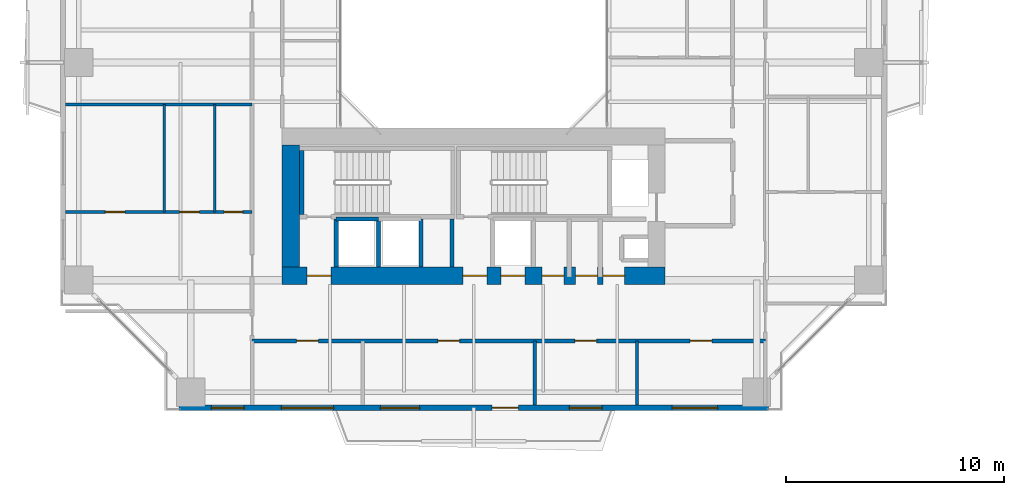
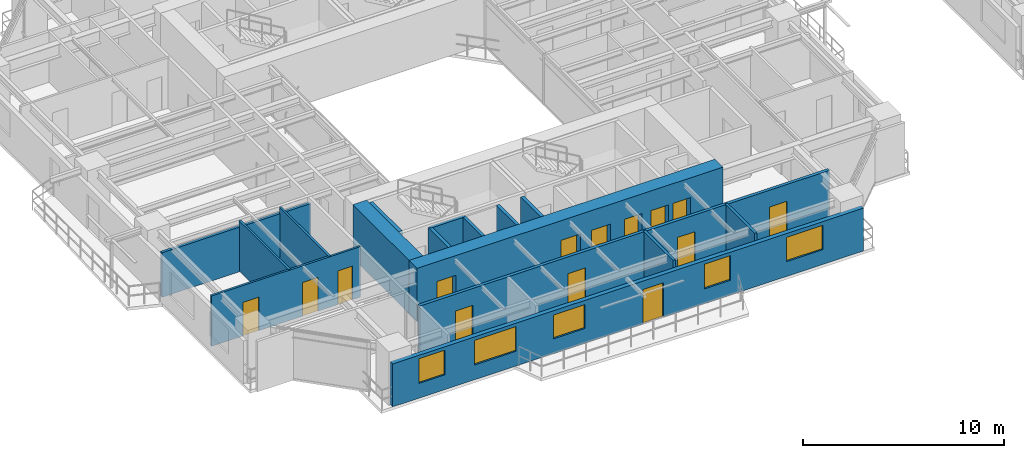
# One storey, part 12 of 24: 16 walls, 14 doors, 5 windows, 19 openings.
"""IFC4 building model written with IfcOpenShell, lengths in metres."""

from ifc_helpers import new_model, si_unit, direction, frame, frame_2d, origin, place, context, subcontext, project, spatial, rectangle, extrude, source, transform, mapped, material, layer, layer_set, type_object, element, fill, save


model = new_model("IFC4")

# Units and contexts
model_context = context("Model", 3, precision=1e-05, world=origin(), true_north=direction((0.0, 1.0)))
body_context = subcontext(model_context, "Body", "Model", "MODEL_VIEW")
ifc_project = project(units=[si_unit("LENGTHUNIT", "METRE"), si_unit("AREAUNIT", "SQUARE_METRE"), si_unit("VOLUMEUNIT", "CUBIC_METRE"), si_unit("PLANEANGLEUNIT", "RADIAN"), si_unit("MASSUNIT", "GRAM", prefix="KILO"), si_unit("THERMODYNAMICTEMPERATUREUNIT", "KELVIN"), si_unit("POWERUNIT", "WATT")], contexts=[model_context])

# Site, building, storey
site_placement = place(None, origin())
site = spatial("IfcSite", under=ifc_project, at=site_placement, CompositionType="ELEMENT")
building_placement = place(site_placement, origin())
building = spatial("IfcBuilding", under=site, at=building_placement, Name="Qiaomeng Ring Towers", CompositionType="ELEMENT")
storey_placement = place(building_placement, frame((0.0, 0.0, 56.75)))
storey = spatial("IfcBuildingStorey", under=building, at=storey_placement, Name="L15", CompositionType="ELEMENT", Elevation=56.75)

# Wall, openings, windows, door
ifc_material_1 = material(Name="Precast concrete C40", Category="concrete")
ifc_layer_1 = layer(ifc_material_1, 0.25, Name="Precast concrete C40")
ifc_layer_set_1 = layer_set([ifc_layer_1], Name="Precast concrete C40")
wall_type_1 = type_object("IfcWallType", Name="ARC-WL-EW1", PredefinedType="STANDARD", material=ifc_layer_set_1)
wall_1_placement = place(storey_placement, frame((5.449951171875, 4.125, 0.0), z_axis=(0.0, 0.0, 1.0), x_axis=(1.0, 0.0, 0.0)))
wall_1 = element("IfcWall", 1, at=wall_1_placement, inside=storey, type_object=wall_type_1, Name="L15 Tower 1 S Exterior Wall", PredefinedType="STANDARD", context=body_context, shape_type="SweptSolid", body=[
    extrude(rectangle(XDim=27.10009765625, YDim=0.25, at=frame_2d((13.550048828125, 0.0))), origin(), (0.0, 0.0, 1.0), 2.610107421875),
])
opening_1_placement = place(wall_1_placement, frame((14.39990234375, 0.0, 0.0)))
opening_1 = element("IfcOpeningElement", 2, at=opening_1_placement, cuts=wall_1, Name="Opening BD1", PredefinedType="OPENING", context=body_context, shape_type="SweptSolid", body=[
    extrude(rectangle(XDim=1.199951171875, YDim=2.10009765625, at=frame_2d((0.60009765625, 1.050048828125))), frame((0.0, 0.135009765625, 0.0), z_axis=(0.0, -1.0, 0.0), x_axis=(1.0, 0.0, 0.0)), (0.0, 0.0, 1.0), 0.27001953125),
])
opening_2_placement = place(wall_1_placement, frame((1.5, 0.0, 0.89990234375)))
opening_2 = element("IfcOpeningElement", 3, at=opening_2_placement, cuts=wall_1, Name="Opening WN2", PredefinedType="OPENING", context=body_context, shape_type="SweptSolid", body=[
    extrude(rectangle(XDim=1.5, YDim=1.5, at=frame_2d((0.75, 0.75))), frame((0.0, 0.135009765625, 0.0), z_axis=(0.0, -1.0, 0.0), x_axis=(1.0, 0.0, 0.0)), (0.0, 0.0, 1.0), 0.27001953125),
])
opening_3_placement = place(wall_1_placement, frame((9.262939453125, 0.0, 0.89990234375)))
opening_3 = element("IfcOpeningElement", 4, at=opening_3_placement, cuts=wall_1, Name="Opening WN1", PredefinedType="OPENING", context=body_context, shape_type="SweptSolid", body=[
    extrude(rectangle(XDim=1.800048828125, YDim=1.449951171875, at=frame_2d((0.89990234375, 0.72509765625))), frame((0.0, 0.135009765625, 0.0), z_axis=(0.0, -1.0, 0.0), x_axis=(1.0, 0.0, 0.0)), (0.0, 0.0, 1.0), 0.27001953125),
])
opening_4_placement = place(wall_1_placement, frame((17.949951171875, 0.0, 0.89990234375)))
opening_4 = element("IfcOpeningElement", 5, at=opening_4_placement, cuts=wall_1, Name="Opening WN2", PredefinedType="OPENING", context=body_context, shape_type="SweptSolid", body=[
    extrude(rectangle(XDim=1.5, YDim=1.5, at=frame_2d((0.75, 0.75))), frame((0.0, 0.135009765625, 0.0), z_axis=(0.0, -1.0, 0.0), x_axis=(1.0, 0.0, 0.0)), (0.0, 0.0, 1.0), 0.27001953125),
])
opening_5_placement = place(wall_1_placement, frame((22.6630859375, 0.0, 0.89990234375)))
opening_5 = element("IfcOpeningElement", 6, at=opening_5_placement, cuts=wall_1, Name="Opening WN4", PredefinedType="OPENING", context=body_context, shape_type="SweptSolid", body=[
    extrude(rectangle(XDim=2.10009765625, YDim=1.47998046875, at=frame_2d((1.050048828125, 0.739990234375))), frame((0.0, 0.135009765625, 0.0), z_axis=(0.0, -1.0, 0.0), x_axis=(1.0, 0.0, 0.0)), (0.0, 0.0, 1.0), 0.27001953125),
])
opening_6_placement = place(wall_1_placement, frame((4.7099609375, 0.0, 0.89990234375)))
opening_6 = element("IfcOpeningElement", 7, at=opening_6_placement, cuts=wall_1, Name="Opening WN6", PredefinedType="OPENING", context=body_context, shape_type="SweptSolid", body=[
    extrude(rectangle(XDim=2.39990234375, YDim=1.5, at=frame_2d((1.199951171875, 0.75))), frame((0.0, 0.135009765625, 0.0), z_axis=(0.0, -1.0, 0.0), x_axis=(1.0, 0.0, 0.0)), (0.0, 0.0, 1.0), 0.27001953125),
])
ifc_material_2 = material(Name="Low-E dark-grey laminated double glazing", Category="glass")
window_type_1 = type_object("IfcWindowType", Name="ARC-WN-4", PartitioningType="TRIPLE_PANEL_VERTICAL", PredefinedType="WINDOW", material=ifc_material_2)
shared_shape_1 = source(origin(), body_context, "Body", "SweptSolid", [
    extrude(rectangle(XDim=2.10009765625, YDim=1.47998046875, at=frame_2d((1.050048828125, 0.739990234375))), frame((0.0, 0.030029296875, 0.0), z_axis=(0.0, -1.0, 0.0), x_axis=(1.0, 0.0, 0.0)), (0.0, 0.0, 1.0), 0.06005859375),
])
window_1_placement = place(opening_5_placement, origin())
window_1 = element("IfcWindow", 8, at=window_1_placement, inside=storey, type_object=window_type_1, Name="L15 Exterior Window WN4", OverallHeight=1.47998046875, OverallWidth=2.10009765625, PartitioningType="TRIPLE_PANEL_VERTICAL", PredefinedType="WINDOW", context=body_context, shape_type="MappedRepresentation", body=[
    mapped(shared_shape_1, transform((0.0, 0.0, 0.0), x_axis=(1.0, 0.0, 0.0), y_axis=(0.0, 1.0, 0.0), z_axis=(0.0, 0.0, 1.0), scale=1.0)),
])
fill(opening_5, window_1)
window_type_2 = type_object("IfcWindowType", Name="ARC-WN-1", PartitioningType="DOUBLE_PANEL_VERTICAL", PredefinedType="WINDOW", material=ifc_material_2)
shared_shape_2 = source(origin(), body_context, "Body", "SweptSolid", [
    extrude(rectangle(XDim=1.800048828125, YDim=1.449951171875, at=frame_2d((0.89990234375, 0.72509765625))), frame((0.0, 0.030029296875, 0.0), z_axis=(0.0, -1.0, 0.0), x_axis=(1.0, 0.0, 0.0)), (0.0, 0.0, 1.0), 0.06005859375),
])
window_2_placement = place(opening_3_placement, origin())
window_2 = element("IfcWindow", 9, at=window_2_placement, inside=storey, type_object=window_type_2, Name="L15 Exterior Window WN1", OverallHeight=1.449951171875, OverallWidth=1.800048828125, PartitioningType="DOUBLE_PANEL_VERTICAL", PredefinedType="WINDOW", context=body_context, shape_type="MappedRepresentation", body=[
    mapped(shared_shape_2, transform((0.0, 0.0, 0.0), x_axis=(1.0, 0.0, 0.0), y_axis=(0.0, 1.0, 0.0), z_axis=(0.0, 0.0, 1.0), scale=1.0)),
])
fill(opening_3, window_2)
door_type_1 = type_object("IfcDoorType", Name="ARC-DR-BD1", OperationType="NOTDEFINED", PredefinedType="DOOR", material=ifc_material_2)
shared_shape_3 = source(origin(), body_context, "Body", "SweptSolid", [
    extrude(rectangle(XDim=1.199951171875, YDim=2.10009765625, at=frame_2d((0.60009765625, 1.050048828125))), frame((0.0, 0.02490234375, 0.0), z_axis=(0.0, -1.0, 0.0), x_axis=(1.0, 0.0, 0.0)), (0.0, 0.0, 1.0), 0.050048828125),
])
door_1_placement = place(opening_1_placement, frame((1.199951171875, 0.0, 0.0), z_axis=(0.0, 0.0, 1.0), x_axis=(-1.0, 0.0, 0.0)))
door_1 = element("IfcDoor", 10, at=door_1_placement, inside=storey, type_object=door_type_1, Name="L15 S Balcony Glazed Door", OperationType="SINGLE_SWING_LEFT", OverallHeight=2.10009765625, OverallWidth=1.199951171875, PredefinedType="DOOR", context=body_context, shape_type="MappedRepresentation", body=[
    mapped(shared_shape_3, transform((0.0, 0.0, 0.0), x_axis=(1.0, 0.0, 0.0), y_axis=(0.0, 1.0, 0.0), z_axis=(0.0, 0.0, 1.0), scale=1.0)),
])
fill(opening_1, door_1)
window_type_3 = type_object("IfcWindowType", Name="ARC-WN-2", PartitioningType="DOUBLE_PANEL_VERTICAL", PredefinedType="WINDOW", material=ifc_material_2)
shared_shape_4 = source(origin(), body_context, "Body", "SweptSolid", [
    extrude(rectangle(XDim=1.5, YDim=1.5, at=frame_2d((0.75, 0.75))), frame((0.0, 0.030029296875, 0.0), z_axis=(0.0, -1.0, 0.0), x_axis=(1.0, 0.0, 0.0)), (0.0, 0.0, 1.0), 0.06005859375),
])
window_3_placement = place(opening_2_placement, origin())
window_3 = element("IfcWindow", 11, at=window_3_placement, inside=storey, type_object=window_type_3, Name="L15 Exterior Window WN6", OverallHeight=1.5, OverallWidth=1.5, PartitioningType="TRIPLE_PANEL_VERTICAL", PredefinedType="WINDOW", context=body_context, shape_type="MappedRepresentation", body=[
    mapped(shared_shape_4, transform((0.0, 0.0, 0.0), x_axis=(1.0, 0.0, 0.0), y_axis=(0.0, 1.0, 0.0), z_axis=(0.0, 0.0, 1.0), scale=1.0)),
])
fill(opening_2, window_3)
window_4_placement = place(opening_4_placement, origin())
window_4 = element("IfcWindow", 12, at=window_4_placement, inside=storey, type_object=window_type_3, Name="L15 Exterior Window WN2", OverallHeight=1.5, OverallWidth=1.5, PartitioningType="DOUBLE_PANEL_VERTICAL", PredefinedType="WINDOW", context=body_context, shape_type="MappedRepresentation", body=[
    mapped(shared_shape_4, transform((0.0, 0.0, 0.0), x_axis=(1.0, 0.0, 0.0), y_axis=(0.0, 1.0, 0.0), z_axis=(0.0, 0.0, 1.0), scale=1.0)),
])
fill(opening_4, window_4)
window_type_4 = type_object("IfcWindowType", Name="ARC-WN-6", PartitioningType="TRIPLE_PANEL_VERTICAL", PredefinedType="WINDOW", material=ifc_material_2)
shared_shape_5 = source(origin(), body_context, "Body", "SweptSolid", [
    extrude(rectangle(XDim=2.39990234375, YDim=1.5, at=frame_2d((1.199951171875, 0.75))), frame((0.0, 0.030029296875, 0.0), z_axis=(0.0, -1.0, 0.0), x_axis=(1.0, 0.0, 0.0)), (0.0, 0.0, 1.0), 0.06005859375),
])
window_5_placement = place(opening_6_placement, origin())
window_5 = element("IfcWindow", 13, at=window_5_placement, inside=storey, type_object=window_type_4, Name="L15 Exterior Window WN6", OverallHeight=1.5, OverallWidth=2.39990234375, PartitioningType="TRIPLE_PANEL_VERTICAL", PredefinedType="WINDOW", context=body_context, shape_type="MappedRepresentation", body=[
    mapped(shared_shape_5, transform((0.0, 0.0, 0.0), x_axis=(1.0, 0.0, 0.0), y_axis=(0.0, 1.0, 0.0), z_axis=(0.0, 0.0, 1.0), scale=1.0)),
])
fill(opening_6, window_5)

# Walls
ifc_material_3 = material(Name="Autoclaved aerated concrete block", Category="concrete")
ifc_layer_2 = layer(ifc_material_3, 0.199951171875, Name="Autoclaved aerated concrete block")
ifc_layer_set_2 = layer_set([ifc_layer_2], Name="Autoclaved aerated concrete block")
wall_type_2 = type_object("IfcWallType", Name="ARC-WL-PW1", PredefinedType="PARTITIONING", material=ifc_layer_set_2)
for number, where, z_axis, x_axis, name in (
    (14, (12.679931640625, 10.60009765625, 0.0), (0.0, 0.0, 1.0), (0.0, 1.0, 0.0), "L15 Interior Wall PW1"),
    (15, (18.0, 10.60009765625, 0.0), (0.0, 0.0, 1.0), (0.0, 1.0, 0.0), "L15 Interior Wall PW1"),
):
    element("IfcWall", number, at=place(storey_placement, frame(where, z_axis=z_axis, x_axis=x_axis)), inside=storey, type_object=wall_type_2, Name=name, PredefinedType="PARTITIONING", context=body_context, shape_type="SweptSolid", body=[
        extrude(rectangle(XDim=2.2099609375, YDim=0.199951171875, at=frame_2d((1.10498046875, 0.0))), origin(), (0.0, 0.0, 1.0), 3.070068359375),
    ])

# Wall, openings, doors
ifc_layer_3 = layer(ifc_material_3, 0.179931640625, Name="Autoclaved aerated concrete block")
ifc_layer_set_3 = layer_set([ifc_layer_3], Name="Autoclaved aerated concrete block")
wall_type_3 = type_object("IfcWallType", Name="ARC-WL-PW2", PredefinedType="PARTITIONING", material=ifc_layer_set_3)
wall_2_placement = place(storey_placement, frame((8.820068359375, 7.2099609375, 0.0), z_axis=(0.0, 0.0, 1.0), x_axis=(1.0, 0.0, 0.0)))
wall_2 = element("IfcWall", 16, at=wall_2_placement, inside=storey, type_object=wall_type_3, Name="L15 Interior Wall PW2", PredefinedType="PARTITIONING", context=body_context, shape_type="SweptSolid", body=[
    extrude(rectangle(XDim=23.579833984375, YDim=0.179931640625, at=frame_2d((11.7900390625, 0.0))), origin(), (0.0, 0.0, 1.0), 3.070068359375),
])
opening_7_placement = place(wall_2_placement, frame((2.0400390625, 0.0, 0.0)))
opening_7 = element("IfcOpeningElement", 17, at=opening_7_placement, cuts=wall_2, Name="Opening FD4", PredefinedType="OPENING", context=body_context, shape_type="SweptSolid", body=[
    extrude(rectangle(XDim=1.0, YDim=2.050048828125, at=frame_2d((0.5, 1.02490234375))), frame((0.0, 0.099853515625, 0.0), z_axis=(0.0, -1.0, 0.0), x_axis=(1.0, 0.0, 0.0)), (0.0, 0.0, 1.0), 0.199951171875),
])
opening_8_placement = place(wall_2_placement, frame((8.530029296875, 0.0, 0.0)))
opening_8 = element("IfcOpeningElement", 18, at=opening_8_placement, cuts=wall_2, Name="Opening FD4", PredefinedType="OPENING", context=body_context, shape_type="SweptSolid", body=[
    extrude(rectangle(XDim=1.0, YDim=2.050048828125, at=frame_2d((0.5, 1.02490234375))), frame((0.0, 0.099853515625, 0.0), z_axis=(0.0, -1.0, 0.0), x_axis=(1.0, 0.0, 0.0)), (0.0, 0.0, 1.0), 0.199951171875),
])
opening_9_placement = place(wall_2_placement, frame((14.830078125, 0.0, 0.0)))
opening_9 = element("IfcOpeningElement", 19, at=opening_9_placement, cuts=wall_2, Name="Opening FD4", PredefinedType="OPENING", context=body_context, shape_type="SweptSolid", body=[
    extrude(rectangle(XDim=1.0, YDim=2.050048828125, at=frame_2d((0.5, 1.02490234375))), frame((0.0, 0.099853515625, 0.0), z_axis=(0.0, -1.0, 0.0), x_axis=(1.0, 0.0, 0.0)), (0.0, 0.0, 1.0), 0.199951171875),
])
opening_10_placement = place(wall_2_placement, frame((20.1298828125, 0.0, 0.0)))
opening_10 = element("IfcOpeningElement", 20, at=opening_10_placement, cuts=wall_2, Name="Opening FD4", PredefinedType="OPENING", context=body_context, shape_type="SweptSolid", body=[
    extrude(rectangle(XDim=1.0, YDim=2.050048828125, at=frame_2d((0.5, 1.02490234375))), frame((0.0, 0.099853515625, 0.0), z_axis=(0.0, -1.0, 0.0), x_axis=(1.0, 0.0, 0.0)), (0.0, 0.0, 1.0), 0.199951171875),
])
ifc_material_4 = material(Name="Engineered fire-rated oak timber", Category="wood")
door_type_2 = type_object("IfcDoorType", Name="ARC-DR-FD4", OperationType="NOTDEFINED", PredefinedType="DOOR", material=ifc_material_4)
shared_shape_6 = source(origin(), body_context, "Body", "SweptSolid", [
    extrude(rectangle(XDim=1.0, YDim=2.050048828125, at=frame_2d((0.5, 1.02490234375))), frame((0.0, 0.02490234375, 0.0), z_axis=(0.0, -1.0, 0.0), x_axis=(1.0, 0.0, 0.0)), (0.0, 0.0, 1.0), 0.050048828125),
])
door_2_placement = place(opening_7_placement, origin())
door_2 = element("IfcDoor", 21, at=door_2_placement, inside=storey, type_object=door_type_2, Name="L15 Door FD4", OperationType="SINGLE_SWING_RIGHT", OverallHeight=2.050048828125, OverallWidth=1.0, PredefinedType="DOOR", context=body_context, shape_type="MappedRepresentation", body=[
    mapped(shared_shape_6, transform((0.0, 0.0, 0.0), x_axis=(1.0, 0.0, 0.0), y_axis=(0.0, 1.0, 0.0), z_axis=(0.0, 0.0, 1.0), scale=1.0)),
])
fill(opening_7, door_2)
door_3_placement = place(opening_8_placement, origin())
door_3 = element("IfcDoor", 22, at=door_3_placement, inside=storey, type_object=door_type_2, Name="L15 Door FD4", OperationType="SINGLE_SWING_LEFT", OverallHeight=2.050048828125, OverallWidth=1.0, PredefinedType="DOOR", context=body_context, shape_type="MappedRepresentation", body=[
    mapped(shared_shape_6, transform((0.0, 0.0, 0.0), x_axis=(1.0, 0.0, 0.0), y_axis=(0.0, 1.0, 0.0), z_axis=(0.0, 0.0, 1.0), scale=1.0)),
])
fill(opening_8, door_3)
door_4_placement = place(opening_9_placement, origin())
door_4 = element("IfcDoor", 23, at=door_4_placement, inside=storey, type_object=door_type_2, Name="L15 Door FD4", OperationType="SINGLE_SWING_RIGHT", OverallHeight=2.050048828125, OverallWidth=1.0, PredefinedType="DOOR", context=body_context, shape_type="MappedRepresentation", body=[
    mapped(shared_shape_6, transform((0.0, 0.0, 0.0), x_axis=(1.0, 0.0, 0.0), y_axis=(0.0, 1.0, 0.0), z_axis=(0.0, 0.0, 1.0), scale=1.0)),
])
fill(opening_9, door_4)
door_5_placement = place(opening_10_placement, origin())
door_5 = element("IfcDoor", 24, at=door_5_placement, inside=storey, type_object=door_type_2, Name="L15 Door FD4", OperationType="SINGLE_SWING_LEFT", OverallHeight=2.050048828125, OverallWidth=1.0, PredefinedType="DOOR", context=body_context, shape_type="MappedRepresentation", body=[
    mapped(shared_shape_6, transform((0.0, 0.0, 0.0), x_axis=(1.0, 0.0, 0.0), y_axis=(0.0, 1.0, 0.0), z_axis=(0.0, 0.0, 1.0), scale=1.0)),
])
fill(opening_10, door_5)

# Walls
ifc_material_5 = material(Name="Gypsum fireboard steel-stud partition", Category="steel")
ifc_layer_4 = layer(ifc_material_5, 0.14990234375, Name="Gypsum fireboard steel-stud partition")
ifc_layer_set_4 = layer_set([ifc_layer_4], Name="Gypsum fireboard steel-stud partition")
wall_type_4 = type_object("IfcWallType", Name="ARC-WL-PW3", PredefinedType="PARTITIONING", material=ifc_layer_set_4)
for number, where, z_axis, x_axis, name in (
    (25, (21.800048828125, 4.25, 0.0), (0.0, 0.0, 1.0), (0.0, 1.0, 0.0), "L15 Interior Wall PW3"),
    (26, (26.5, 4.25, 0.0), (0.0, 0.0, 1.0), (0.0, 1.0, 0.0), "L15 Interior Wall PW3"),
):
    element("IfcWall", number, at=place(storey_placement, frame(where, z_axis=z_axis, x_axis=x_axis)), inside=storey, type_object=wall_type_4, Name=name, PredefinedType="PARTITIONING", context=body_context, shape_type="SweptSolid", body=[
        extrude(rectangle(XDim=2.9599609375, YDim=0.14990234375, at=frame_2d((1.47998046875, 0.0))), origin(), (0.0, 0.0, 1.0), 3.070068359375),
    ])
wall_3_placement = place(storey_placement, frame((0.25, 18.070068359375, 0.0), z_axis=(0.0, 0.0, 1.0), x_axis=(1.0, 0.0, 0.0)))
element("IfcWall", 27, at=wall_3_placement, inside=storey, type_object=wall_type_4, Name="L15 Interior Wall PW3", PredefinedType="PARTITIONING", context=body_context, shape_type="SweptSolid", body=[
    extrude(rectangle(XDim=8.570068359375, YDim=0.14990234375, at=frame_2d((4.28515625, 0.0))), origin(), (0.0, 0.0, 1.0), 2.715087890625),
])

# Wall, openings, doors
ifc_material_6 = material(Name="Moisture-resistant gypsum steel-stud partition", Category="steel")
ifc_layer_5 = layer(ifc_material_6, 0.1201171875, Name="Moisture-resistant gypsum steel-stud partition")
ifc_layer_set_5 = layer_set([ifc_layer_5], Name="Moisture-resistant gypsum steel-stud partition")
wall_type_5 = type_object("IfcWallType", Name="ARC-WL-PW4", PredefinedType="PLUMBINGWALL", material=ifc_layer_set_5)
wall_4_placement = place(storey_placement, frame((0.25, 13.1298828125, 0.0), z_axis=(0.0, 0.0, 1.0), x_axis=(1.0, 0.0, 0.0)))
wall_4 = element("IfcWall", 28, at=wall_4_placement, inside=storey, type_object=wall_type_5, Name="L15 Interior Wall PW4", PredefinedType="PLUMBINGWALL", context=body_context, shape_type="SweptSolid", body=[
    extrude(rectangle(XDim=8.570068359375, YDim=0.1201171875, at=frame_2d((4.28515625, 0.0))), origin(), (0.0, 0.0, 1.0), 3.070068359375),
])
opening_11_placement = place(wall_4_placement, frame((1.824951171875, 0.0, 0.0)))
opening_11 = element("IfcOpeningElement", 29, at=opening_11_placement, cuts=wall_4, Name="Opening ID1", PredefinedType="OPENING", context=body_context, shape_type="SweptSolid", body=[
    extrude(rectangle(XDim=0.89990234375, YDim=2.050048828125, at=frame_2d((0.449951171875, 1.02490234375))), frame((0.0, 0.070068359375, 0.0), z_axis=(0.0, -1.0, 0.0), x_axis=(1.0, 0.0, 0.0)), (0.0, 0.0, 1.0), 0.14013671875),
])
opening_12_placement = place(wall_4_placement, frame((5.239990234375, 0.0, 0.0)))
opening_12 = element("IfcOpeningElement", 30, at=opening_12_placement, cuts=wall_4, Name="Opening ID1", PredefinedType="OPENING", context=body_context, shape_type="SweptSolid", body=[
    extrude(rectangle(XDim=0.89990234375, YDim=2.050048828125, at=frame_2d((0.449951171875, 1.02490234375))), frame((0.0, 0.070068359375, 0.0), z_axis=(0.0, -1.0, 0.0), x_axis=(1.0, 0.0, 0.0)), (0.0, 0.0, 1.0), 0.14013671875),
])
opening_13_placement = place(wall_4_placement, frame((7.27490234375, 0.0, 0.0)))
opening_13 = element("IfcOpeningElement", 31, at=opening_13_placement, cuts=wall_4, Name="Opening ID2", PredefinedType="OPENING", context=body_context, shape_type="SweptSolid", body=[
    extrude(rectangle(XDim=0.85009765625, YDim=2.050048828125, at=frame_2d((0.425048828125, 1.02490234375))), frame((0.0, 0.070068359375, 0.0), z_axis=(0.0, -1.0, 0.0), x_axis=(1.0, 0.0, 0.0)), (0.0, 0.0, 1.0), 0.14013671875),
])
ifc_material_7 = material(Name="Moisture-resistant engineered timber", Category="wood")
door_type_3 = type_object("IfcDoorType", Name="ARC-DR-ID2", OperationType="NOTDEFINED", PredefinedType="DOOR", material=ifc_material_7)
shared_shape_7 = source(origin(), body_context, "Body", "SweptSolid", [
    extrude(rectangle(XDim=0.85009765625, YDim=2.050048828125, at=frame_2d((0.425048828125, 1.02490234375))), frame((0.0, 0.02490234375, 0.0), z_axis=(0.0, -1.0, 0.0), x_axis=(1.0, 0.0, 0.0)), (0.0, 0.0, 1.0), 0.050048828125),
])
door_6_placement = place(opening_13_placement, origin())
door_6 = element("IfcDoor", 32, at=door_6_placement, inside=storey, type_object=door_type_3, Name="L15 Door ID2", OperationType="SINGLE_SWING_RIGHT", OverallHeight=2.050048828125, OverallWidth=0.85009765625, PredefinedType="DOOR", context=body_context, shape_type="MappedRepresentation", body=[
    mapped(shared_shape_7, transform((0.0, 0.0, 0.0), x_axis=(1.0, 0.0, 0.0), y_axis=(0.0, 1.0, 0.0), z_axis=(0.0, 0.0, 1.0), scale=1.0)),
])
fill(opening_13, door_6)
ifc_material_8 = material(Name="Engineered oak timber", Category="wood")
door_type_4 = type_object("IfcDoorType", Name="ARC-DR-ID1", OperationType="NOTDEFINED", PredefinedType="DOOR", material=ifc_material_8)
shared_shape_8 = source(origin(), body_context, "Body", "SweptSolid", [
    extrude(rectangle(XDim=0.89990234375, YDim=2.050048828125, at=frame_2d((0.449951171875, 1.02490234375))), frame((0.0, 0.02490234375, 0.0), z_axis=(0.0, -1.0, 0.0), x_axis=(1.0, 0.0, 0.0)), (0.0, 0.0, 1.0), 0.050048828125),
])
door_7_placement = place(opening_11_placement, origin())
door_7 = element("IfcDoor", 33, at=door_7_placement, inside=storey, type_object=door_type_4, Name="L15 Door ID1", OperationType="SINGLE_SWING_RIGHT", OverallHeight=2.050048828125, OverallWidth=0.89990234375, PredefinedType="DOOR", context=body_context, shape_type="MappedRepresentation", body=[
    mapped(shared_shape_8, transform((0.0, 0.0, 0.0), x_axis=(1.0, 0.0, 0.0), y_axis=(0.0, 1.0, 0.0), z_axis=(0.0, 0.0, 1.0), scale=1.0)),
])
fill(opening_11, door_7)
door_8_placement = place(opening_12_placement, origin())
door_8 = element("IfcDoor", 34, at=door_8_placement, inside=storey, type_object=door_type_4, Name="L15 Door ID1", OperationType="SINGLE_SWING_LEFT", OverallHeight=2.050048828125, OverallWidth=0.89990234375, PredefinedType="DOOR", context=body_context, shape_type="MappedRepresentation", body=[
    mapped(shared_shape_8, transform((0.0, 0.0, 0.0), x_axis=(1.0, 0.0, 0.0), y_axis=(0.0, 1.0, 0.0), z_axis=(0.0, 0.0, 1.0), scale=1.0)),
])
fill(opening_12, door_8)

# Walls
for number, where, z_axis, x_axis, name in (
    (35, (4.780029296875, 13.1298828125, 0.0), (0.0, 0.0, 1.0), (0.0, 1.0, 0.0), "L15 Interior Wall PW4"),
    (36, (7.10009765625, 13.1298828125, 0.0), (0.0, 0.0, 1.0), (0.0, 1.0, 0.0), "L15 Interior Wall PW4"),
):
    element("IfcWall", number, at=place(storey_placement, frame(where, z_axis=z_axis, x_axis=x_axis)), inside=storey, type_object=wall_type_5, Name=name, PredefinedType="PLUMBINGWALL", context=body_context, shape_type="SweptSolid", body=[
        extrude(rectangle(XDim=4.940185546875, YDim=0.1201171875, at=frame_2d((2.47021484375, 0.0))), origin(), (0.0, 0.0, 1.0), 3.070068359375),
    ])
ifc_material_9 = material(Name="Concrete C40", Category="concrete")
ifc_layer_6 = layer(ifc_material_9, 0.199951171875, Name="Concrete C40")
ifc_layer_set_6 = layer_set([ifc_layer_6], Name="Concrete C40")
wall_type_6 = type_object("IfcWallType", Name="STR-WL-STSHAFT", PredefinedType="SHEAR", material=ifc_layer_set_6)
wall_5_placement = place(storey_placement, frame((12.679931640625, 12.800048828125, 0.0), z_axis=(0.0, 0.0, 1.0), x_axis=(1.0, 0.0, 0.0)))
element("IfcWall", 37, at=wall_5_placement, inside=storey, type_object=wall_type_6, Name="L15 Lift LP6 Shaft Back Wall", PredefinedType="SHEAR", context=body_context, shape_type="SweptSolid", body=[
    extrude(rectangle(XDim=1.940185546875, YDim=0.179931640625, at=frame_2d((0.97021484375, 0.0))), origin(), (0.0, 0.0, 1.0), 3.070068359375),
])
for number, where, z_axis, x_axis, name in (
    (38, (14.6201171875, 10.60009765625, 0.0), (0.0, 0.0, 1.0), (0.0, 1.0, 0.0), "L15 Lift LP6-LP4 Shaft Divider Wall"),
    (39, (16.580078125, 10.60009765625, 0.0), (0.0, 0.0, 1.0), (0.0, 1.0, 0.0), "L15 Lift LP4 East Shaft Wall"),
):
    element("IfcWall", number, at=place(storey_placement, frame(where, z_axis=z_axis, x_axis=x_axis)), inside=storey, type_object=wall_type_6, Name=name, PredefinedType="SHEAR", context=body_context, shape_type="SweptSolid", body=[
        extrude(rectangle(XDim=2.199951171875, YDim=0.179931640625, at=frame_2d((1.10009765625, 0.0))), origin(), (0.0, 0.0, 1.0), 3.070068359375),
    ])
wall_6_placement = place(storey_placement, frame((11.10009765625, 13.010009765625, 0.0), z_axis=(0.0, 0.0, 1.0), x_axis=(0.0, 1.0, 0.0)))
element("IfcWall", 40, at=wall_6_placement, inside=storey, type_object=wall_type_6, Name="L15 Stair ST3 West Shaft Shear Wall", PredefinedType="SHEAR", context=body_context, shape_type="SweptSolid", body=[
    extrude(rectangle(XDim=2.93994140625, YDim=0.199951171875, at=frame_2d((1.469970703125, 0.0))), origin(), (0.0, 0.0, 1.0), 3.25),
])

# Wall, openings, doors
ifc_material_10 = material(Name="Concrete C60", Category="concrete")
ifc_layer_7 = layer(ifc_material_10, 0.800048828125, Name="Concrete C60")
ifc_layer_set_7 = layer_set([ifc_layer_7], Name="Concrete C60")
wall_type_7 = type_object("IfcWallType", Name="STR-WL-SW1", PredefinedType="SHEAR", material=ifc_layer_set_7)
wall_7_placement = place(storey_placement, frame((10.199951171875, 10.199951171875, 0.0), z_axis=(0.0, 0.0, 1.0), x_axis=(1.0, 0.0, 0.0)))
wall_7 = element("IfcWall", 41, at=wall_7_placement, inside=storey, type_object=wall_type_7, Name="L15 T1SC south core shear wall", PredefinedType="SHEAR", context=body_context, shape_type="SweptSolid", body=[
    extrude(rectangle(XDim=17.60009765625, YDim=0.800048828125, at=frame_2d((8.800048828125, 0.0))), origin(), (0.0, 0.0, 1.0), 3.25),
])
opening_14_placement = place(wall_7_placement, frame((1.14990234375, 0.0, 0.0)))
opening_14 = element("IfcOpeningElement", 42, at=opening_14_placement, cuts=wall_7, Name="Opening FD3", PredefinedType="OPENING", context=body_context, shape_type="SweptSolid", body=[
    extrude(rectangle(XDim=1.10009765625, YDim=2.050048828125, at=frame_2d((0.550048828125, 1.02490234375))), frame((0.0, 0.409912109375, 0.0), z_axis=(0.0, -1.0, 0.0), x_axis=(1.0, 0.0, 0.0)), (0.0, 0.0, 1.0), 0.820068359375),
])
opening_15_placement = place(wall_7_placement, frame((8.300048828125, 0.0, 0.0)))
opening_15 = element("IfcOpeningElement", 43, at=opening_15_placement, cuts=wall_7, Name="Opening FD3", PredefinedType="OPENING", context=body_context, shape_type="SweptSolid", body=[
    extrude(rectangle(XDim=1.10009765625, YDim=2.050048828125, at=frame_2d((0.550048828125, 1.02490234375))), frame((0.0, 0.409912109375, 0.0), z_axis=(0.0, -1.0, 0.0), x_axis=(1.0, 0.0, 0.0)), (0.0, 0.0, 1.0), 0.820068359375),
])
opening_16_placement = place(wall_7_placement, frame((10.050048828125, 0.0, 0.0)))
opening_16 = element("IfcOpeningElement", 44, at=opening_16_placement, cuts=wall_7, Name="Opening LD1", PredefinedType="OPENING", context=body_context, shape_type="SweptSolid", body=[
    extrude(rectangle(XDim=1.10009765625, YDim=2.050048828125, at=frame_2d((0.550048828125, 1.02490234375))), frame((0.0, 0.409912109375, 0.0), z_axis=(0.0, -1.0, 0.0), x_axis=(1.0, 0.0, 0.0)), (0.0, 0.0, 1.0), 0.820068359375),
])
opening_17_placement = place(wall_7_placement, frame((14.739990234375, 0.0, 0.0)))
opening_17 = element("IfcOpeningElement", 45, at=opening_17_placement, cuts=wall_7, Name="Opening FD1", PredefinedType="OPENING", context=body_context, shape_type="SweptSolid", body=[
    extrude(rectangle(XDim=1.0, YDim=2.050048828125, at=frame_2d((0.5, 1.02490234375))), frame((0.0, 0.409912109375, 0.0), z_axis=(0.0, -1.0, 0.0), x_axis=(1.0, 0.0, 0.0)), (0.0, 0.0, 1.0), 0.820068359375),
])
opening_18_placement = place(wall_7_placement, frame((11.945068359375, 0.0, 0.0)))
opening_18 = element("IfcOpeningElement", 46, at=opening_18_placement, cuts=wall_7, Name="Opening FD1", PredefinedType="OPENING", context=body_context, shape_type="SweptSolid", body=[
    extrude(rectangle(XDim=1.0, YDim=2.050048828125, at=frame_2d((0.5, 1.02490234375))), frame((0.0, 0.409912109375, 0.0), z_axis=(0.0, -1.0, 0.0), x_axis=(1.0, 0.0, 0.0)), (0.0, 0.0, 1.0), 0.820068359375),
])
opening_19_placement = place(wall_7_placement, frame((13.47998046875, 0.0, 0.0)))
opening_19 = element("IfcOpeningElement", 47, at=opening_19_placement, cuts=wall_7, Name="Opening FD1", PredefinedType="OPENING", context=body_context, shape_type="SweptSolid", body=[
    extrude(rectangle(XDim=1.0, YDim=2.050048828125, at=frame_2d((0.5, 1.02490234375))), frame((0.0, 0.409912109375, 0.0), z_axis=(0.0, -1.0, 0.0), x_axis=(1.0, 0.0, 0.0)), (0.0, 0.0, 1.0), 0.820068359375),
])
ifc_material_11 = material(Name="Galvanised steel", Category="steel")
door_type_5 = type_object("IfcDoorType", Name="ARC-DR-FD3", OperationType="NOTDEFINED", PredefinedType="DOOR", material=ifc_material_11)
shared_shape_9 = source(origin(), body_context, "Body", "SweptSolid", [
    extrude(rectangle(XDim=1.10009765625, YDim=2.050048828125, at=frame_2d((0.550048828125, 1.02490234375))), frame((0.0, 0.02490234375, 0.0), z_axis=(0.0, -1.0, 0.0), x_axis=(1.0, 0.0, 0.0)), (0.0, 0.0, 1.0), 0.050048828125),
])
door_9_placement = place(opening_14_placement, origin())
door_9 = element("IfcDoor", 48, at=door_9_placement, inside=storey, type_object=door_type_5, Name="L15 Stair ST3 Lobby Door", OperationType="SINGLE_SWING_LEFT", OverallHeight=2.050048828125, OverallWidth=1.10009765625, PredefinedType="DOOR", context=body_context, shape_type="MappedRepresentation", body=[
    mapped(shared_shape_9, transform((0.0, 0.0, 0.0), x_axis=(1.0, 0.0, 0.0), y_axis=(0.0, 1.0, 0.0), z_axis=(0.0, 0.0, 1.0), scale=1.0)),
])
fill(opening_14, door_9)
door_10_placement = place(opening_15_placement, origin())
door_10 = element("IfcDoor", 49, at=door_10_placement, inside=storey, type_object=door_type_5, Name="L15 Stair ST4 Lobby Door", OperationType="SINGLE_SWING_LEFT", OverallHeight=2.050048828125, OverallWidth=1.10009765625, PredefinedType="DOOR", context=body_context, shape_type="MappedRepresentation", body=[
    mapped(shared_shape_9, transform((0.0, 0.0, 0.0), x_axis=(1.0, 0.0, 0.0), y_axis=(0.0, 1.0, 0.0), z_axis=(0.0, 0.0, 1.0), scale=1.0)),
])
fill(opening_15, door_10)
ifc_material_12 = material(Name="Stainless steel 316", Category="steel")
door_type_6 = type_object("IfcDoorType", Name="ARC-DR-LD1", OperationType="NOTDEFINED", PredefinedType="DOOR", material=ifc_material_12)
door_11_placement = place(opening_16_placement, origin())
door_11 = element("IfcDoor", 50, at=door_11_placement, inside=storey, type_object=door_type_6, Name="L15 Low-Zone Lift LP2 Landing Door", OperationType="SLIDING_TO_RIGHT", OverallHeight=2.050048828125, OverallWidth=1.10009765625, PredefinedType="DOOR", context=body_context, shape_type="MappedRepresentation", body=[
    mapped(shared_shape_9, transform((0.0, 0.0, 0.0), x_axis=(1.0, 0.0, 0.0), y_axis=(0.0, 1.0, 0.0), z_axis=(0.0, 0.0, 1.0), scale=1.0)),
])
fill(opening_16, door_11)
door_type_7 = type_object("IfcDoorType", Name="ARC-DR-FD1", OperationType="NOTDEFINED", PredefinedType="DOOR", material=ifc_material_11)
door_12_placement = place(opening_17_placement, origin())
door_12 = element("IfcDoor", 51, at=door_12_placement, inside=storey, type_object=door_type_7, Name="L15 South Electrical Riser Door", OperationType="SINGLE_SWING_RIGHT", OverallHeight=2.050048828125, OverallWidth=1.0, PredefinedType="DOOR", context=body_context, shape_type="MappedRepresentation", body=[
    mapped(shared_shape_6, transform((0.0, 0.0, 0.0), x_axis=(1.0, 0.0, 0.0), y_axis=(0.0, 1.0, 0.0), z_axis=(0.0, 0.0, 1.0), scale=1.0)),
])
fill(opening_17, door_12)
door_13_placement = place(opening_18_placement, origin())
door_13 = element("IfcDoor", 52, at=door_13_placement, inside=storey, type_object=door_type_7, Name="L15 South Beverage Pantry Door", OperationType="SINGLE_SWING_RIGHT", OverallHeight=2.050048828125, OverallWidth=1.0, PredefinedType="DOOR", context=body_context, shape_type="MappedRepresentation", body=[
    mapped(shared_shape_6, transform((0.0, 0.0, 0.0), x_axis=(1.0, 0.0, 0.0), y_axis=(0.0, 1.0, 0.0), z_axis=(0.0, 0.0, 1.0), scale=1.0)),
])
fill(opening_18, door_13)
door_14_placement = place(opening_19_placement, origin())
door_14 = element("IfcDoor", 53, at=door_14_placement, inside=storey, type_object=door_type_7, Name="L15 South Linen Store Door", OperationType="SINGLE_SWING_LEFT", OverallHeight=2.050048828125, OverallWidth=1.0, PredefinedType="DOOR", context=body_context, shape_type="MappedRepresentation", body=[
    mapped(shared_shape_6, transform((0.0, 0.0, 0.0), x_axis=(1.0, 0.0, 0.0), y_axis=(0.0, 1.0, 0.0), z_axis=(0.0, 0.0, 1.0), scale=1.0)),
])
fill(opening_19, door_14)

# Wall
wall_8_placement = place(storey_placement, frame((10.60009765625, 10.60009765625, 0.0), z_axis=(0.0, 0.0, 1.0), x_axis=(0.0, 1.0, 0.0)))
element("IfcWall", 54, at=wall_8_placement, inside=storey, type_object=wall_type_7, Name="L15 T1SC west core shear wall", PredefinedType="SHEAR", context=body_context, shape_type="SweptSolid", body=[
    extrude(rectangle(XDim=5.599853515625, YDim=0.800048828125, at=frame_2d((2.7998046875, 0.0))), origin(), (0.0, 0.0, 1.0), 3.25),
])

save(model, "model.ifc")
